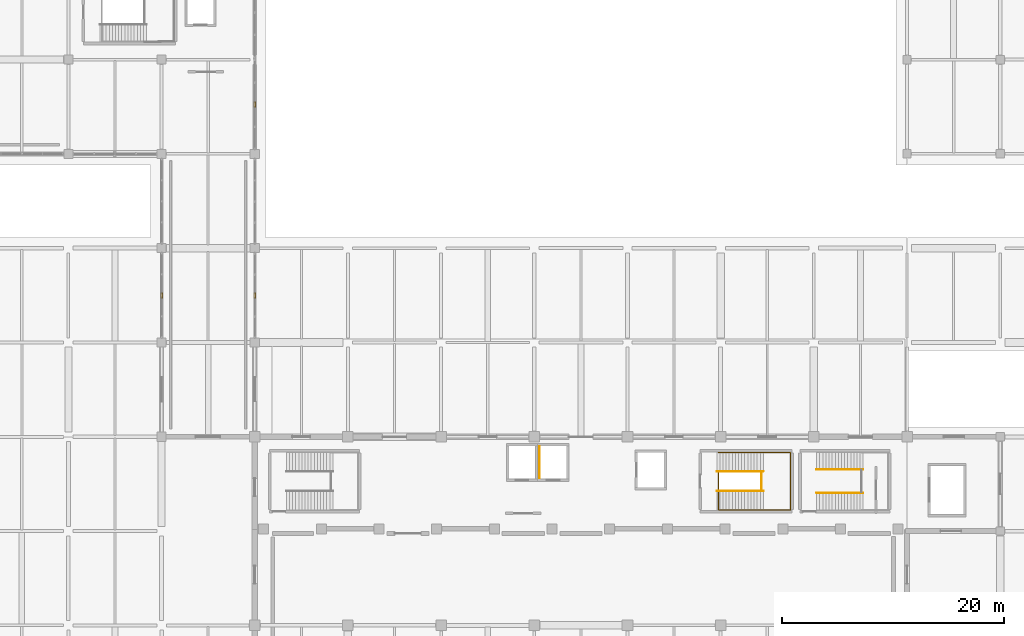
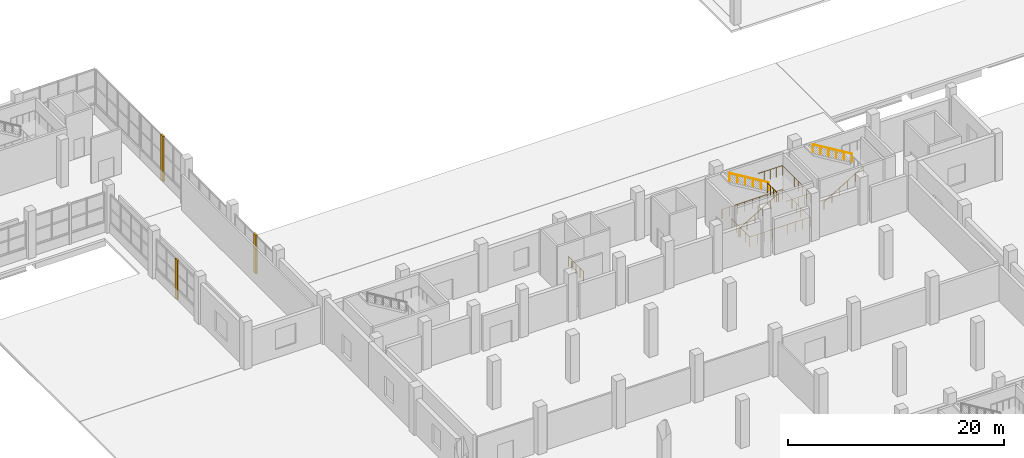
# One storey, part 102 of 107: 8 railings, 3 coverings.
"""IFC4 building model written with IfcOpenShell, lengths in metres."""

from ifc_helpers import new_model, si_unit, direction, frame, origin, origin_2d, place, context, subcontext, project, spatial, rectangle, circle, extrude, material, layer, layer_set, type_object, element, save


model = new_model("IFC4")

# Units and contexts
model_context = context("Model", 3, precision=1e-05, world=origin(), true_north=direction((0.0, 1.0)))
body_context = subcontext(model_context, "Body", "Model", "MODEL_VIEW")
ifc_project = project(units=[si_unit("LENGTHUNIT", "METRE"), si_unit("AREAUNIT", "SQUARE_METRE"), si_unit("VOLUMEUNIT", "CUBIC_METRE"), si_unit("PLANEANGLEUNIT", "RADIAN"), si_unit("MASSUNIT", "GRAM", prefix="KILO")], contexts=[model_context])

# Site, building, storey
site_placement = place(None, origin())
site = spatial("IfcSite", under=ifc_project, at=site_placement, CompositionType="ELEMENT")
building_placement = place(site_placement, origin())
building = spatial("IfcBuilding", under=site, at=building_placement, Name="Solvento Point Concert Hall", CompositionType="ELEMENT")
storey_placement = place(building_placement, origin())
storey = spatial("IfcBuildingStorey", under=building, at=storey_placement, Name="L00", CompositionType="ELEMENT", Elevation=0.0)

# Coverings
ifc_material_1 = material(Name="Precast concrete C45/55", Category="concrete")
ifc_layer = layer(ifc_material_1, 0.179931640625)
ifc_layer_set = layer_set([ifc_layer], Name="Precast concrete C45/55")
covering_type = type_object("IfcCoveringType", Name="BriseSoleilFin_Precast", PredefinedType="CLADDING", material=ifc_layer_set)
covering_1_placement = place(storey_placement, frame((66.0, 106.25, 0.0), z_axis=(0.0, 0.0, 1.0), x_axis=(1.0, 0.0, 0.0)))
element("IfcCovering", 1, at=covering_1_placement, inside=storey, type_object=covering_type, Name="Precast concrete vertical solar fin BSF-01", PredefinedType="CLADDING", context=body_context, shape_type="SweptSolid", body=[
    extrude(rectangle(XDim=0.179931640625, YDim=0.47998046875, at=origin_2d()), origin(), (0.0, 0.0, 1.0), 4.430908203125),
])
covering_2_placement = place(storey_placement, frame((74.39990234375, 123.465087890625, 0.0), z_axis=(0.0, 0.0, 1.0), x_axis=(1.0, 0.0, 0.0)))
element("IfcCovering", 2, at=covering_2_placement, inside=storey, type_object=covering_type, Name="Precast concrete vertical solar fin BSF-01", PredefinedType="CLADDING", context=body_context, shape_type="SweptSolid", body=[
    extrude(rectangle(XDim=0.179931640625, YDim=0.47998046875, at=origin_2d()), origin(), (0.0, 0.0, 1.0), 5.1201171875),
])
covering_3_placement = place(storey_placement, frame((74.39990234375, 106.25, 0.0), z_axis=(0.0, 0.0, 1.0), x_axis=(1.0, 0.0, 0.0)))
element("IfcCovering", 3, at=covering_3_placement, inside=storey, type_object=covering_type, Name="Precast concrete vertical solar fin BSF-01", PredefinedType="CLADDING", context=body_context, shape_type="SweptSolid", body=[
    extrude(rectangle(XDim=0.179931640625, YDim=0.47998046875, at=origin_2d()), origin(), (0.0, 0.0, 1.0), 4.35400390625),
])

# Railings
ifc_material_2 = material(Name="Brushed Stainless Steel Balustrade", Category="steel")
railing_type_1 = type_object("IfcRailingType", Name="StairHandrail_915", PredefinedType="HANDRAIL", material=ifc_material_2)
railing_1_placement = place(storey_placement, frame((116.050048828125, 88.610107421875, 0.168701171875)))
element("IfcRailing", 4, at=railing_1_placement, inside=storey, type_object=railing_type_1, Name="Stair handrail HR-01 ST-03 L00 F1", PredefinedType="HANDRAIL", context=body_context, shape_type="SweptSolid", body=[
    extrude(circle(Radius=0.0224609375, at=origin_2d()), frame((0.0, 0.0, 0.892578125), z_axis=(0.856476492594, 0.0, 0.516186030065), x_axis=(0.0, 1.0, 0.0)), (0.0, 0.0, 1.0), 4.90380859375),
    extrude(circle(Radius=0.01904296875, at=origin_2d()), origin(), (0.0, 0.0, 1.0), 0.8701171875),
    extrude(circle(Radius=0.01904296875, at=origin_2d()), frame((0.840087890625, 0.0, 0.50634765625)), (0.0, 0.0, 1.0), 0.8701171875),
    extrude(circle(Radius=0.01904296875, at=origin_2d()), frame((1.679931640625, 0.0, 1.012451171875)), (0.0, 0.0, 1.0), 0.8701171875),
    extrude(circle(Radius=0.01904296875, at=origin_2d()), frame((2.52001953125, 0.0, 1.518798828125)), (0.0, 0.0, 1.0), 0.8701171875),
    extrude(circle(Radius=0.01904296875, at=origin_2d()), frame((3.35986328125, 0.0, 2.02490234375)), (0.0, 0.0, 1.0), 0.8701171875),
    extrude(circle(Radius=0.01904296875, at=origin_2d()), frame((4.199951171875, 0.0, 2.53125)), (0.0, 0.0, 1.0), 0.8701171875),
])
railing_2_placement = place(storey_placement, frame((120.25, 90.389892578125, 2.868896484375)))
element("IfcRailing", 5, at=railing_2_placement, inside=storey, type_object=railing_type_1, Name="Stair handrail HR-01 ST-03 L00 F2", PredefinedType="HANDRAIL", context=body_context, shape_type="SweptSolid", body=[
    extrude(circle(Radius=0.0224609375, at=origin_2d()), frame((0.0, 0.0, 0.892578125), z_axis=(-0.856498503035, 0.0, 0.5161495077), x_axis=(0.0, -1.0, 0.0)), (0.0, 0.0, 1.0), 4.903564453125),
    extrude(circle(Radius=0.01904296875, at=origin_2d()), origin(), (0.0, 0.0, 1.0), 0.8701171875),
    extrude(circle(Radius=0.01904296875, at=origin_2d()), frame((-0.840087890625, 0.0, 0.506103515625)), (0.0, 0.0, 1.0), 0.8701171875),
    extrude(circle(Radius=0.01904296875, at=origin_2d()), frame((-1.679931640625, 0.0, 1.012451171875)), (0.0, 0.0, 1.0), 0.8701171875),
    extrude(circle(Radius=0.01904296875, at=origin_2d()), frame((-2.52001953125, 0.0, 1.5185546875)), (0.0, 0.0, 1.0), 0.8701171875),
    extrude(circle(Radius=0.01904296875, at=origin_2d()), frame((-3.35986328125, 0.0, 2.02490234375)), (0.0, 0.0, 1.0), 0.8701171875),
    extrude(circle(Radius=0.01904296875, at=origin_2d()), frame((-4.199951171875, 0.0, 2.531005859375)), (0.0, 0.0, 1.0), 0.8701171875),
])
railing_3_placement = place(storey_placement, frame((125.050048828125, 88.449951171875, 0.168701171875)))
element("IfcRailing", 6, at=railing_3_placement, inside=storey, type_object=railing_type_1, Name="Stair handrail HR-01 VOM-04 L00 F1", PredefinedType="HANDRAIL", context=body_context, shape_type="SweptSolid", body=[
    extrude(circle(Radius=0.0224609375, at=origin_2d()), frame((0.0, 0.0, 0.892578125), z_axis=(0.856476492594, 0.0, 0.516186030065), x_axis=(0.0, 1.0, 0.0)), (0.0, 0.0, 1.0), 4.90380859375),
    extrude(circle(Radius=0.01904296875, at=origin_2d()), origin(), (0.0, 0.0, 1.0), 0.8701171875),
    extrude(circle(Radius=0.01904296875, at=origin_2d()), frame((0.840087890625, 0.0, 0.50634765625)), (0.0, 0.0, 1.0), 0.8701171875),
    extrude(circle(Radius=0.01904296875, at=origin_2d()), frame((1.679931640625, 0.0, 1.012451171875)), (0.0, 0.0, 1.0), 0.8701171875),
    extrude(circle(Radius=0.01904296875, at=origin_2d()), frame((2.52001953125, 0.0, 1.518798828125)), (0.0, 0.0, 1.0), 0.8701171875),
    extrude(circle(Radius=0.01904296875, at=origin_2d()), frame((3.35986328125, 0.0, 2.02490234375)), (0.0, 0.0, 1.0), 0.8701171875),
    extrude(circle(Radius=0.01904296875, at=origin_2d()), frame((4.199951171875, 0.0, 2.53125)), (0.0, 0.0, 1.0), 0.8701171875),
])
railing_4_placement = place(storey_placement, frame((129.25, 90.550048828125, 2.868896484375)))
element("IfcRailing", 7, at=railing_4_placement, inside=storey, type_object=railing_type_1, Name="Stair handrail HR-01 VOM-04 L00 F2", PredefinedType="HANDRAIL", context=body_context, shape_type="SweptSolid", body=[
    extrude(circle(Radius=0.0224609375, at=origin_2d()), frame((0.0, 0.0, 0.892578125), z_axis=(-0.856498503035, 0.0, 0.5161495077), x_axis=(0.0, -1.0, 0.0)), (0.0, 0.0, 1.0), 4.903564453125),
    extrude(circle(Radius=0.01904296875, at=origin_2d()), origin(), (0.0, 0.0, 1.0), 0.8701171875),
    extrude(circle(Radius=0.01904296875, at=origin_2d()), frame((-0.840087890625, 0.0, 0.506103515625)), (0.0, 0.0, 1.0), 0.8701171875),
    extrude(circle(Radius=0.01904296875, at=origin_2d()), frame((-1.679931640625, 0.0, 1.012451171875)), (0.0, 0.0, 1.0), 0.8701171875),
    extrude(circle(Radius=0.01904296875, at=origin_2d()), frame((-2.52001953125, 0.0, 1.5185546875)), (0.0, 0.0, 1.0), 0.8701171875),
    extrude(circle(Radius=0.01904296875, at=origin_2d()), frame((-3.35986328125, 0.0, 2.02490234375)), (0.0, 0.0, 1.0), 0.8701171875),
    extrude(circle(Radius=0.01904296875, at=origin_2d()), frame((-4.199951171875, 0.0, 2.531005859375)), (0.0, 0.0, 1.0), 0.8701171875),
])
ifc_material_3 = material(Name="Brushed Stainless Steel Balustrade", Category="steel")
railing_type_2 = type_object("IfcRailingType", Name="StairWellGuard_1100", PredefinedType="BALUSTRADE", material=ifc_material_3)
railing_5_placement = place(storey_placement, frame((116.219970703125, 90.340087890625, 0.0)))
element("IfcRailing", 8, at=railing_5_placement, inside=storey, type_object=railing_type_2, Name="Stairwell guard GR-02 ST-03 L00", PredefinedType="BALUSTRADE", context=body_context, shape_type="SweptSolid", body=[
    extrude(circle(Radius=0.02392578125, at=origin_2d()), frame((0.0, 0.0, 1.09619140625), z_axis=(0.0, -1.0, 0.0), x_axis=(1.0, 0.0, 0.0)), (0.0, 0.0, 1.0), 3.420166015625),
    extrude(circle(Radius=0.02392578125, at=origin_2d()), frame((0.0, -3.420166015625, 1.09619140625), z_axis=(1.0, 0.0, 0.0), x_axis=(0.0, 1.0, 0.0)), (0.0, 0.0, 1.0), 6.4599609375),
    extrude(circle(Radius=0.02392578125, at=origin_2d()), frame((6.4599609375, -3.420166015625, 1.09619140625), z_axis=(0.0, 1.0, 0.0), x_axis=(-1.0, 0.0, 0.0)), (0.0, 0.0, 1.0), 5.16015625),
    extrude(circle(Radius=0.02392578125, at=origin_2d()), frame((6.4599609375, 1.739990234375, 1.09619140625), z_axis=(-1.0, 0.0, 0.0), x_axis=(0.0, -1.0, 0.0)), (0.0, 0.0, 1.0), 6.4599609375),
    extrude(circle(Radius=0.02392578125, at=origin_2d()), frame((0.0, 1.739990234375, 1.09619140625), z_axis=(0.0, 1.0, 0.0), x_axis=(-1.0, 0.0, 0.0)), (0.0, 0.0, 1.0), 0.02001953125),
    extrude(circle(Radius=0.02099609375, at=origin_2d()), origin(), (0.0, 0.0, 1.0), 1.072021484375),
    extrude(circle(Radius=0.02099609375, at=origin_2d()), frame((0.0, -0.85498046875, 0.0)), (0.0, 0.0, 1.0), 1.072021484375),
    extrude(circle(Radius=0.02099609375, at=origin_2d()), frame((0.0, -1.7099609375, 0.0)), (0.0, 0.0, 1.0), 1.072021484375),
    extrude(circle(Radius=0.02099609375, at=origin_2d()), frame((0.0, -2.565185546875, 0.0)), (0.0, 0.0, 1.0), 1.072021484375),
    extrude(circle(Radius=0.02099609375, at=origin_2d()), frame((0.0, -3.420166015625, 0.0)), (0.0, 0.0, 1.0), 1.072021484375),
    extrude(circle(Radius=0.02099609375, at=origin_2d()), frame((0.8076171875, -3.420166015625, 0.0)), (0.0, 0.0, 1.0), 1.072021484375),
    extrude(circle(Radius=0.02099609375, at=origin_2d()), frame((1.614990234375, -3.420166015625, 0.0)), (0.0, 0.0, 1.0), 1.072021484375),
    extrude(circle(Radius=0.02099609375, at=origin_2d()), frame((2.42236328125, -3.420166015625, 0.0)), (0.0, 0.0, 1.0), 1.072021484375),
    extrude(circle(Radius=0.02099609375, at=origin_2d()), frame((3.22998046875, -3.420166015625, 0.0)), (0.0, 0.0, 1.0), 1.072021484375),
    extrude(circle(Radius=0.02099609375, at=origin_2d()), frame((4.03759765625, -3.420166015625, 0.0)), (0.0, 0.0, 1.0), 1.072021484375),
    extrude(circle(Radius=0.02099609375, at=origin_2d()), frame((4.844970703125, -3.420166015625, 0.0)), (0.0, 0.0, 1.0), 1.072021484375),
    extrude(circle(Radius=0.02099609375, at=origin_2d()), frame((5.65234375, -3.420166015625, 0.0)), (0.0, 0.0, 1.0), 1.072021484375),
    extrude(circle(Radius=0.02099609375, at=origin_2d()), frame((6.4599609375, -3.420166015625, 0.0)), (0.0, 0.0, 1.0), 1.072021484375),
    extrude(circle(Radius=0.02099609375, at=origin_2d()), frame((6.4599609375, -2.56005859375, 0.0)), (0.0, 0.0, 1.0), 1.072021484375),
    extrude(circle(Radius=0.02099609375, at=origin_2d()), frame((6.4599609375, -1.7001953125, 0.0)), (0.0, 0.0, 1.0), 1.072021484375),
    extrude(circle(Radius=0.02099609375, at=origin_2d()), frame((6.4599609375, -0.840087890625, 0.0)), (0.0, 0.0, 1.0), 1.072021484375),
    extrude(circle(Radius=0.02099609375, at=origin_2d()), frame((6.4599609375, 0.02001953125, 0.0)), (0.0, 0.0, 1.0), 1.072021484375),
    extrude(circle(Radius=0.02099609375, at=origin_2d()), frame((6.4599609375, 0.8798828125, 0.0)), (0.0, 0.0, 1.0), 1.072021484375),
    extrude(circle(Radius=0.02099609375, at=origin_2d()), frame((6.4599609375, 1.739990234375, 0.0)), (0.0, 0.0, 1.0), 1.072021484375),
    extrude(circle(Radius=0.02099609375, at=origin_2d()), frame((5.65234375, 1.739990234375, 0.0)), (0.0, 0.0, 1.0), 1.072021484375),
    extrude(circle(Radius=0.02099609375, at=origin_2d()), frame((4.844970703125, 1.739990234375, 0.0)), (0.0, 0.0, 1.0), 1.072021484375),
    extrude(circle(Radius=0.02099609375, at=origin_2d()), frame((4.03759765625, 1.739990234375, 0.0)), (0.0, 0.0, 1.0), 1.072021484375),
    extrude(circle(Radius=0.02099609375, at=origin_2d()), frame((3.22998046875, 1.739990234375, 0.0)), (0.0, 0.0, 1.0), 1.072021484375),
    extrude(circle(Radius=0.02099609375, at=origin_2d()), frame((2.42236328125, 1.739990234375, 0.0)), (0.0, 0.0, 1.0), 1.072021484375),
    extrude(circle(Radius=0.02099609375, at=origin_2d()), frame((1.614990234375, 1.739990234375, 0.0)), (0.0, 0.0, 1.0), 1.072021484375),
    extrude(circle(Radius=0.02099609375, at=origin_2d()), frame((0.8076171875, 1.739990234375, 0.0)), (0.0, 0.0, 1.0), 1.072021484375),
    extrude(circle(Radius=0.02099609375, at=origin_2d()), frame((0.0, 1.739990234375, 0.0)), (0.0, 0.0, 1.0), 1.072021484375),
    extrude(circle(Radius=0.02099609375, at=origin_2d()), frame((0.0, 1.760009765625, 0.0)), (0.0, 0.0, 1.0), 1.072021484375),
])
railing_6_placement = place(storey_placement, frame((120.080078125, 86.89990234375, 2.699951171875)))
element("IfcRailing", 9, at=railing_6_placement, inside=storey, type_object=railing_type_2, Name="Half-landing perimeter guard GR-02 ST-03 L00", PredefinedType="BALUSTRADE", context=body_context, shape_type="SweptSolid", body=[
    extrude(circle(Radius=0.02392578125, at=origin_2d()), frame((0.0, 0.0, 1.09619140625), z_axis=(0.999970805684, 0.007641189644, 0.0), x_axis=(-0.007641189644, 0.999970805684, 0.0)), (0.0, 0.0, 1.0), 2.619873046875),
    extrude(circle(Radius=0.02392578125, at=origin_2d()), frame((2.619873046875, 0.02001953125, 1.09619140625), z_axis=(0.0, 1.0, 0.0), x_axis=(-1.0, 0.0, 0.0)), (0.0, 0.0, 1.0), 5.16015625),
    extrude(circle(Radius=0.02392578125, at=origin_2d()), frame((2.619873046875, 5.18017578125, 1.09619140625), z_axis=(-0.999970805684, 0.007641189644, 0.0), x_axis=(-0.007641189644, -0.999970805684, 0.0)), (0.0, 0.0, 1.0), 2.619873046875),
    extrude(circle(Radius=0.02099609375, at=origin_2d()), origin(), (0.0, 0.0, 1.0), 1.072021484375),
    extrude(circle(Radius=0.02099609375, at=origin_2d()), frame((0.655029296875, 0.0048828125, 0.0)), (0.0, 0.0, 1.0), 1.072021484375),
    extrude(circle(Radius=0.02099609375, at=origin_2d()), frame((1.31005859375, 0.010009765625, 0.0)), (0.0, 0.0, 1.0), 1.072021484375),
    extrude(circle(Radius=0.02099609375, at=origin_2d()), frame((1.96484375, 0.01513671875, 0.0)), (0.0, 0.0, 1.0), 1.072021484375),
    extrude(circle(Radius=0.02099609375, at=origin_2d()), frame((2.619873046875, 0.02001953125, 0.0)), (0.0, 0.0, 1.0), 1.072021484375),
    extrude(circle(Radius=0.02099609375, at=origin_2d()), frame((2.619873046875, 0.757080078125, 0.0)), (0.0, 0.0, 1.0), 1.072021484375),
    extrude(circle(Radius=0.02099609375, at=origin_2d()), frame((2.619873046875, 1.494384765625, 0.0)), (0.0, 0.0, 1.0), 1.072021484375),
    extrude(circle(Radius=0.02099609375, at=origin_2d()), frame((2.619873046875, 2.2314453125, 0.0)), (0.0, 0.0, 1.0), 1.072021484375),
    extrude(circle(Radius=0.02099609375, at=origin_2d()), frame((2.619873046875, 2.96875, 0.0)), (0.0, 0.0, 1.0), 1.072021484375),
    extrude(circle(Radius=0.02099609375, at=origin_2d()), frame((2.619873046875, 3.705810546875, 0.0)), (0.0, 0.0, 1.0), 1.072021484375),
    extrude(circle(Radius=0.02099609375, at=origin_2d()), frame((2.619873046875, 4.443115234375, 0.0)), (0.0, 0.0, 1.0), 1.072021484375),
    extrude(circle(Radius=0.02099609375, at=origin_2d()), frame((2.619873046875, 5.18017578125, 0.0)), (0.0, 0.0, 1.0), 1.072021484375),
    extrude(circle(Radius=0.02099609375, at=origin_2d()), frame((1.96484375, 5.18505859375, 0.0)), (0.0, 0.0, 1.0), 1.072021484375),
    extrude(circle(Radius=0.02099609375, at=origin_2d()), frame((1.31005859375, 5.190185546875, 0.0)), (0.0, 0.0, 1.0), 1.072021484375),
    extrude(circle(Radius=0.02099609375, at=origin_2d()), frame((0.655029296875, 5.1953125, 0.0)), (0.0, 0.0, 1.0), 1.072021484375),
    extrude(circle(Radius=0.02099609375, at=origin_2d()), frame((0.0, 5.2001953125, 0.0)), (0.0, 0.0, 1.0), 1.072021484375),
])
railing_7_placement = place(storey_placement, frame((120.080078125, 88.659912109375, 2.699951171875)))
element("IfcRailing", 10, at=railing_7_placement, inside=storey, type_object=railing_type_2, Name="Half-landing slot guard GR-02 ST-03 L00", PredefinedType="BALUSTRADE", context=body_context, shape_type="SweptSolid", body=[
    extrude(circle(Radius=0.02392578125, at=origin_2d()), frame((0.0, 0.0, 1.09619140625), z_axis=(0.0, 1.0, 0.0), x_axis=(-1.0, 0.0, 0.0)), (0.0, 0.0, 1.0), 1.68017578125),
    extrude(circle(Radius=0.02099609375, at=origin_2d()), origin(), (0.0, 0.0, 1.0), 1.072021484375),
    extrude(circle(Radius=0.02099609375, at=origin_2d()), frame((0.0, 0.56005859375, 0.0)), (0.0, 0.0, 1.0), 1.072021484375),
    extrude(circle(Radius=0.02099609375, at=origin_2d()), frame((0.0, 1.1201171875, 0.0)), (0.0, 0.0, 1.0), 1.072021484375),
    extrude(circle(Radius=0.02099609375, at=origin_2d()), frame((0.0, 1.68017578125, 0.0)), (0.0, 0.0, 1.0), 1.072021484375),
])
ifc_material_4 = material(Name="Brushed Stainless Steel Balustrade", Category="steel")
railing_type_3 = type_object("IfcRailingType", Name="TerraceBalustrade_1100", PredefinedType="BALUSTRADE", material=ifc_material_4)
railing_8_placement = place(storey_placement, frame((100.06005859375, 92.610107421875, 0.0)))
element("IfcRailing", 11, at=railing_8_placement, inside=storey, type_object=railing_type_3, Name="Guard balustrade GR-01 L00", PredefinedType="BALUSTRADE", context=body_context, shape_type="SweptSolid", body=[
    extrude(circle(Radius=0.02392578125, at=origin_2d()), frame((0.0, 0.0, 1.09619140625), z_axis=(0.0, -1.0, 0.0), x_axis=(1.0, 0.0, 0.0)), (0.0, 0.0, 1.0), 2.820068359375),
    extrude(circle(Radius=0.02099609375, at=origin_2d()), origin(), (0.0, 0.0, 1.0), 1.072021484375),
    extrude(circle(Radius=0.02099609375, at=origin_2d()), frame((0.0, -0.705078125, 0.0)), (0.0, 0.0, 1.0), 1.072021484375),
    extrude(circle(Radius=0.02099609375, at=origin_2d()), frame((0.0, -1.41015625, 0.0)), (0.0, 0.0, 1.0), 1.072021484375),
    extrude(circle(Radius=0.02099609375, at=origin_2d()), frame((0.0, -2.114990234375, 0.0)), (0.0, 0.0, 1.0), 1.072021484375),
    extrude(circle(Radius=0.02099609375, at=origin_2d()), frame((0.0, -2.820068359375, 0.0)), (0.0, 0.0, 1.0), 1.072021484375),
])

save(model, "model.ifc")
